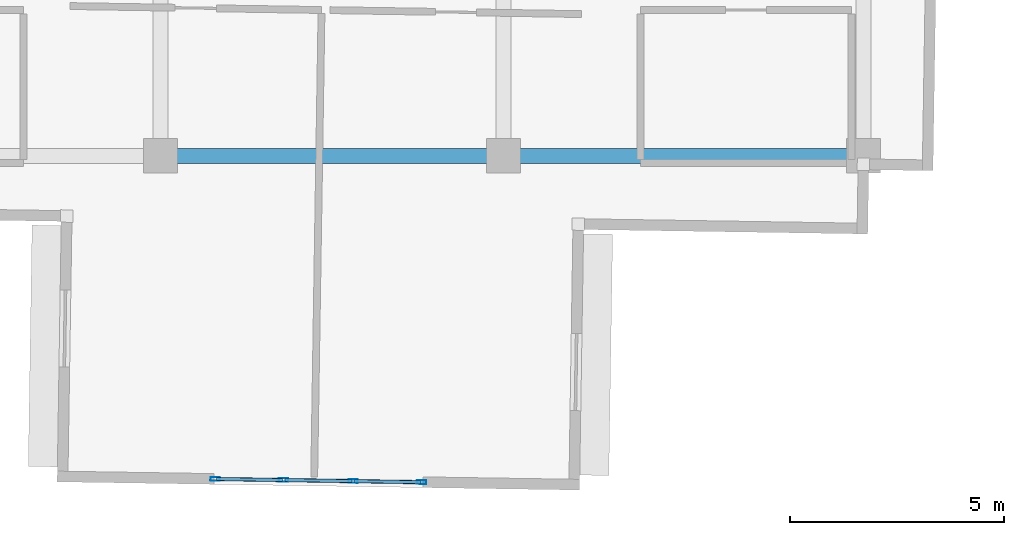
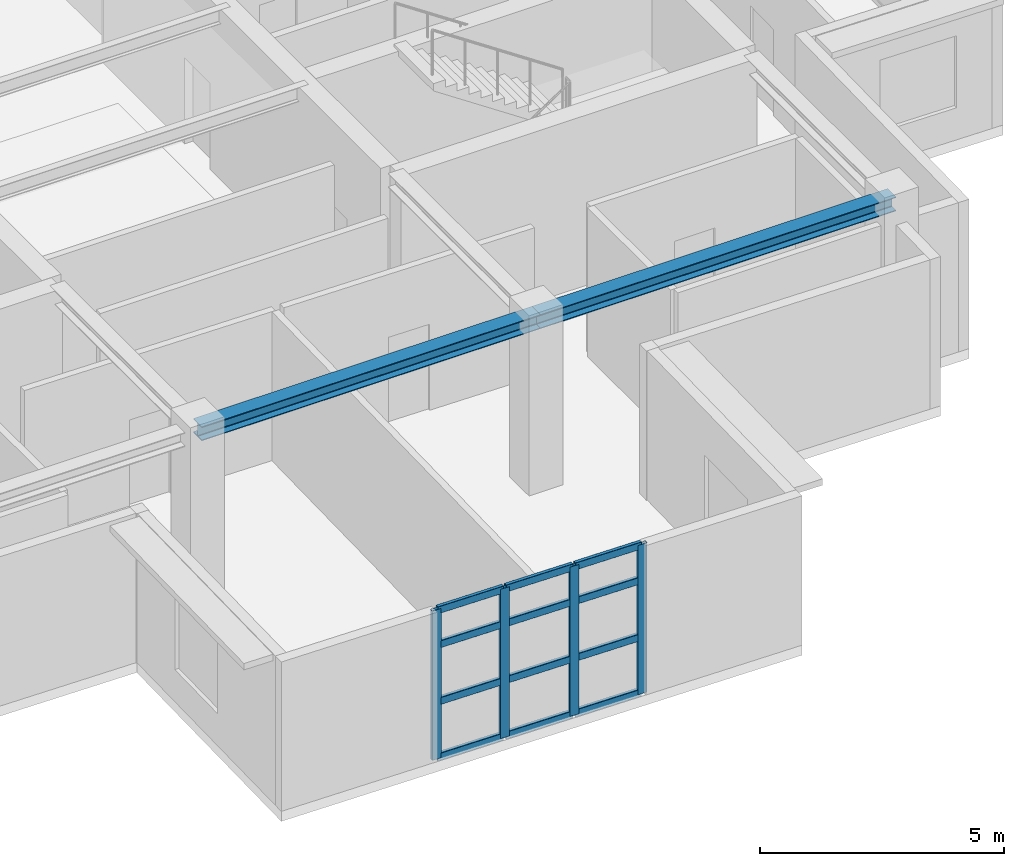
# One storey, part 2 of 15: 16 members, 2 beams, 1 element without a shape of its own.
"""IFC4 building model written with IfcOpenShell, lengths in metres."""

from ifc_helpers import new_model, si_unit, direction, frame, origin, origin_2d, place, context, subcontext, project, spatial, hollow_rectangle, i_section, extrude, material, layer, layer_set, material_profile, profile_set, type_object, element, aggregate, save


model = new_model("IFC4")

# Units and contexts
model_context = context("Model", 3, precision=1e-05, world=origin(), true_north=direction((0.0, 1.0)))
body_context = subcontext(model_context, "Body", "Model", "MODEL_VIEW")
ifc_project = project(units=[si_unit("LENGTHUNIT", "METRE"), si_unit("AREAUNIT", "SQUARE_METRE"), si_unit("VOLUMEUNIT", "CUBIC_METRE"), si_unit("PLANEANGLEUNIT", "RADIAN"), si_unit("MASSUNIT", "GRAM", prefix="KILO")], contexts=[model_context])

# Site, building, storey
site_placement = place(None, origin())
site = spatial("IfcSite", under=ifc_project, at=site_placement, CompositionType="ELEMENT")
building_placement = place(site_placement, origin())
building = spatial("IfcBuilding", under=site, at=building_placement, Name="Qingluan Cross Belvedere", CompositionType="ELEMENT")
storey_placement = place(building_placement, frame((0.0, 0.0, 312.89990234375)))
storey = spatial("IfcBuildingStorey", under=building, at=storey_placement, Name="L77", CompositionType="ELEMENT", Elevation=312.89990234375)

# Curtain wall, members
ifc_material_1 = material(Name="Thermally broken aluminium and Low-E glass", Category="aluminium")
ifc_layer = layer(ifc_material_1, 0.219970703125, Name="ObservationCW_BelvedereDeck")
ifc_layer_set = layer_set([ifc_layer], Name="Thermally broken aluminium and Low-E glass")
curtain_wall_type = type_object("IfcCurtainWallType", Name="ObservationCW_BelvedereDeck", PredefinedType="USERDEFINED", material=ifc_layer_set)
curtain_wall_placement = place(storey_placement, origin())
curtain_wall = element("IfcCurtainWall", 1, at=curtain_wall_placement, inside=storey, type_object=curtain_wall_type, Name="ObservationCW_BelvedereDeck run env:cw:L77:S", ObjectType="OBSERVATION GLAZING WALL", PredefinedType="USERDEFINED")
ifc_material_2 = material(Name="Aluminium alloy 6063-T6", Category="aluminium")
ifc_material_profile_1 = material_profile(ifc_material_2, hollow_rectangle(XDim=0.0849609375, YDim=0.219970703125, WallThickness=0.0048828125, InnerFilletRadius=0.0048828125, OuterFilletRadius=0.010009765625, at=origin_2d()), Name="CWM220x85x5")
ifc_profile_set_1 = profile_set([ifc_material_profile_1], Name="Aluminium alloy 6063-T6")
member_type_1 = type_object("IfcMemberType", Name="CWMullion_220", PredefinedType="MULLION", material=ifc_profile_set_1)
member_1_placement = place(storey_placement, frame((-2.724609375, -20.1396484375, 0.0), z_axis=(0.0, 0.0, 1.0), x_axis=(0.015709592504, 0.999876596737, 0.0)))
member_1 = element("IfcMember", 2, at=member_1_placement, type_object=member_type_1, Name="CW-C3 mullion 1", PredefinedType="MULLION", context=body_context, shape_type="SweptSolid", body=[
    extrude(hollow_rectangle(XDim=0.0849609375, YDim=0.219970703125, WallThickness=0.0048828125, InnerFilletRadius=0.0048828125, OuterFilletRadius=0.010009765625, at=origin_2d()), origin(), (0.0, 0.0, 1.0), 3.72998046875),
])
member_2_placement = place(storey_placement, frame((-1.12939453125, -20.164794921875, 0.0), z_axis=(0.0, 0.0, 1.0), x_axis=(0.015709592504, 0.999876596737, 0.0)))
member_2 = element("IfcMember", 3, at=member_2_placement, type_object=member_type_1, Name="CW-C3 mullion 2", PredefinedType="MULLION", context=body_context, shape_type="SweptSolid", body=[
    extrude(hollow_rectangle(XDim=0.0849609375, YDim=0.219970703125, WallThickness=0.0048828125, InnerFilletRadius=0.0048828125, OuterFilletRadius=0.010009765625, at=origin_2d()), origin(), (0.0, 0.0, 1.0), 3.72998046875),
])
member_3_placement = place(storey_placement, frame((0.49560546875, -20.190185546875, 0.0), z_axis=(0.0, 0.0, 1.0), x_axis=(0.015709592504, 0.999876596737, 0.0)))
member_3 = element("IfcMember", 4, at=member_3_placement, type_object=member_type_1, Name="CW-C3 mullion 3", PredefinedType="MULLION", context=body_context, shape_type="SweptSolid", body=[
    extrude(hollow_rectangle(XDim=0.0849609375, YDim=0.219970703125, WallThickness=0.0048828125, InnerFilletRadius=0.0048828125, OuterFilletRadius=0.010009765625, at=origin_2d()), origin(), (0.0, 0.0, 1.0), 3.72998046875),
])
member_4_placement = place(storey_placement, frame((2.0908203125, -20.21533203125, 0.0), z_axis=(0.0, 0.0, 1.0), x_axis=(0.015709592504, 0.999876596737, 0.0)))
member_4 = element("IfcMember", 5, at=member_4_placement, type_object=member_type_1, Name="CW-C3 mullion 4", PredefinedType="MULLION", context=body_context, shape_type="SweptSolid", body=[
    extrude(hollow_rectangle(XDim=0.0849609375, YDim=0.219970703125, WallThickness=0.0048828125, InnerFilletRadius=0.0048828125, OuterFilletRadius=0.010009765625, at=origin_2d()), origin(), (0.0, 0.0, 1.0), 3.72998046875),
])
ifc_material_3 = material(Name="Aluminium alloy 6063-T6", Category="aluminium")
ifc_material_profile_2 = material_profile(ifc_material_3, hollow_rectangle(XDim=0.0849609375, YDim=0.179931640625, WallThickness=0.00390625, InnerFilletRadius=0.00390625, OuterFilletRadius=0.008056640625, at=origin_2d()), Name="CWT180x85x4")
ifc_profile_set_2 = profile_set([ifc_material_profile_2], Name="Aluminium alloy 6063-T6")
member_type_2 = type_object("IfcMemberType", Name="CWTransom_180", PredefinedType="USERDEFINED", material=ifc_profile_set_2)
member_5_placement = place(storey_placement, frame((-2.694580078125, -20.14013671875, 0.030029296875), z_axis=(0.999876081943, -0.015742323809, 0.0), x_axis=(0.015742323809, 0.999876081943, 0.0)))
member_5 = element("IfcMember", 6, at=member_5_placement, type_object=member_type_2, Name="CW-C3 transom 1.1", ObjectType="TRANSOM", PredefinedType="USERDEFINED", context=body_context, shape_type="SweptSolid", body=[
    extrude(hollow_rectangle(XDim=0.0849609375, YDim=0.179931640625, WallThickness=0.00390625, InnerFilletRadius=0.00390625, OuterFilletRadius=0.008056640625, at=origin_2d()), origin(), (0.0, 0.0, 1.0), 1.535400390625),
])
member_6_placement = place(storey_placement, frame((-2.694580078125, -20.14013671875, 1.4169921875), z_axis=(0.999876081943, -0.015742323809, 0.0), x_axis=(0.015742323809, 0.999876081943, 0.0)))
member_6 = element("IfcMember", 7, at=member_6_placement, type_object=member_type_2, Name="CW-C3 transom 1.2", ObjectType="TRANSOM", PredefinedType="USERDEFINED", context=body_context, shape_type="SweptSolid", body=[
    extrude(hollow_rectangle(XDim=0.0849609375, YDim=0.179931640625, WallThickness=0.00390625, InnerFilletRadius=0.00390625, OuterFilletRadius=0.008056640625, at=origin_2d()), origin(), (0.0, 0.0, 1.0), 1.535400390625),
])
member_7_placement = place(storey_placement, frame((-2.694580078125, -20.14013671875, 2.835205078125), z_axis=(0.999876081943, -0.015742323809, 0.0), x_axis=(0.015742323809, 0.999876081943, 0.0)))
member_7 = element("IfcMember", 8, at=member_7_placement, type_object=member_type_2, Name="CW-C3 transom 1.3", ObjectType="TRANSOM", PredefinedType="USERDEFINED", context=body_context, shape_type="SweptSolid", body=[
    extrude(hollow_rectangle(XDim=0.0849609375, YDim=0.179931640625, WallThickness=0.00390625, InnerFilletRadius=0.00390625, OuterFilletRadius=0.008056640625, at=origin_2d()), origin(), (0.0, 0.0, 1.0), 1.535400390625),
])
member_8_placement = place(storey_placement, frame((-2.694580078125, -20.14013671875, 3.7001953125), z_axis=(0.999876081943, -0.015742323809, 0.0), x_axis=(0.015742323809, 0.999876081943, 0.0)))
member_8 = element("IfcMember", 9, at=member_8_placement, type_object=member_type_2, Name="CW-C3 transom 1.4", ObjectType="TRANSOM", PredefinedType="USERDEFINED", context=body_context, shape_type="SweptSolid", body=[
    extrude(hollow_rectangle(XDim=0.0849609375, YDim=0.179931640625, WallThickness=0.00390625, InnerFilletRadius=0.00390625, OuterFilletRadius=0.008056640625, at=origin_2d()), origin(), (0.0, 0.0, 1.0), 1.535400390625),
])
member_9_placement = place(storey_placement, frame((-1.099365234375, -20.165283203125, 0.030029296875), z_axis=(0.999878332473, -0.015598725936, 0.0), x_axis=(0.015598725936, 0.999878332473, 0.0)))
member_9 = element("IfcMember", 10, at=member_9_placement, type_object=member_type_2, Name="CW-C3 transom 2.1", ObjectType="TRANSOM", PredefinedType="USERDEFINED", context=body_context, shape_type="SweptSolid", body=[
    extrude(hollow_rectangle(XDim=0.0849609375, YDim=0.179931640625, WallThickness=0.00390625, InnerFilletRadius=0.00390625, OuterFilletRadius=0.008056640625, at=origin_2d()), origin(), (0.0, 0.0, 1.0), 1.565185546875),
])
member_10_placement = place(storey_placement, frame((-1.099365234375, -20.165283203125, 1.4169921875), z_axis=(0.999878332473, -0.015598725936, 0.0), x_axis=(0.015598725936, 0.999878332473, 0.0)))
member_10 = element("IfcMember", 11, at=member_10_placement, type_object=member_type_2, Name="CW-C3 transom 2.2", ObjectType="TRANSOM", PredefinedType="USERDEFINED", context=body_context, shape_type="SweptSolid", body=[
    extrude(hollow_rectangle(XDim=0.0849609375, YDim=0.179931640625, WallThickness=0.00390625, InnerFilletRadius=0.00390625, OuterFilletRadius=0.008056640625, at=origin_2d()), origin(), (0.0, 0.0, 1.0), 1.565185546875),
])
member_11_placement = place(storey_placement, frame((-1.099365234375, -20.165283203125, 2.835205078125), z_axis=(0.999878332473, -0.015598725936, 0.0), x_axis=(0.015598725936, 0.999878332473, 0.0)))
member_11 = element("IfcMember", 12, at=member_11_placement, type_object=member_type_2, Name="CW-C3 transom 2.3", ObjectType="TRANSOM", PredefinedType="USERDEFINED", context=body_context, shape_type="SweptSolid", body=[
    extrude(hollow_rectangle(XDim=0.0849609375, YDim=0.179931640625, WallThickness=0.00390625, InnerFilletRadius=0.00390625, OuterFilletRadius=0.008056640625, at=origin_2d()), origin(), (0.0, 0.0, 1.0), 1.565185546875),
])
member_12_placement = place(storey_placement, frame((-1.099365234375, -20.165283203125, 3.7001953125), z_axis=(0.999878332473, -0.015598725936, 0.0), x_axis=(0.015598725936, 0.999878332473, 0.0)))
member_12 = element("IfcMember", 13, at=member_12_placement, type_object=member_type_2, Name="CW-C3 transom 2.4", ObjectType="TRANSOM", PredefinedType="USERDEFINED", context=body_context, shape_type="SweptSolid", body=[
    extrude(hollow_rectangle(XDim=0.0849609375, YDim=0.179931640625, WallThickness=0.00390625, InnerFilletRadius=0.00390625, OuterFilletRadius=0.008056640625, at=origin_2d()), origin(), (0.0, 0.0, 1.0), 1.565185546875),
])
member_13_placement = place(storey_placement, frame((0.525634765625, -20.190673828125, 0.030029296875), z_axis=(0.999876081943, -0.015742323809, 0.0), x_axis=(0.015742323809, 0.999876081943, 0.0)))
member_13 = element("IfcMember", 14, at=member_13_placement, type_object=member_type_2, Name="CW-C3 transom 3.1", ObjectType="TRANSOM", PredefinedType="USERDEFINED", context=body_context, shape_type="SweptSolid", body=[
    extrude(hollow_rectangle(XDim=0.0849609375, YDim=0.179931640625, WallThickness=0.00390625, InnerFilletRadius=0.00390625, OuterFilletRadius=0.008056640625, at=origin_2d()), origin(), (0.0, 0.0, 1.0), 1.535400390625),
])
member_14_placement = place(storey_placement, frame((0.525634765625, -20.190673828125, 1.4169921875), z_axis=(0.999876081943, -0.015742323809, 0.0), x_axis=(0.015742323809, 0.999876081943, 0.0)))
member_14 = element("IfcMember", 15, at=member_14_placement, type_object=member_type_2, Name="CW-C3 transom 3.2", ObjectType="TRANSOM", PredefinedType="USERDEFINED", context=body_context, shape_type="SweptSolid", body=[
    extrude(hollow_rectangle(XDim=0.0849609375, YDim=0.179931640625, WallThickness=0.00390625, InnerFilletRadius=0.00390625, OuterFilletRadius=0.008056640625, at=origin_2d()), origin(), (0.0, 0.0, 1.0), 1.535400390625),
])
member_15_placement = place(storey_placement, frame((0.525634765625, -20.190673828125, 2.835205078125), z_axis=(0.999876081943, -0.015742323809, 0.0), x_axis=(0.015742323809, 0.999876081943, 0.0)))
member_15 = element("IfcMember", 16, at=member_15_placement, type_object=member_type_2, Name="CW-C3 transom 3.3", ObjectType="TRANSOM", PredefinedType="USERDEFINED", context=body_context, shape_type="SweptSolid", body=[
    extrude(hollow_rectangle(XDim=0.0849609375, YDim=0.179931640625, WallThickness=0.00390625, InnerFilletRadius=0.00390625, OuterFilletRadius=0.008056640625, at=origin_2d()), origin(), (0.0, 0.0, 1.0), 1.535400390625),
])
member_16_placement = place(storey_placement, frame((0.525634765625, -20.190673828125, 3.7001953125), z_axis=(0.999876081943, -0.015742323809, 0.0), x_axis=(0.015742323809, 0.999876081943, 0.0)))
member_16 = element("IfcMember", 17, at=member_16_placement, type_object=member_type_2, Name="CW-C3 transom 3.4", ObjectType="TRANSOM", PredefinedType="USERDEFINED", context=body_context, shape_type="SweptSolid", body=[
    extrude(hollow_rectangle(XDim=0.0849609375, YDim=0.179931640625, WallThickness=0.00390625, InnerFilletRadius=0.00390625, OuterFilletRadius=0.008056640625, at=origin_2d()), origin(), (0.0, 0.0, 1.0), 1.535400390625),
])
aggregate(curtain_wall, [member_1, member_2, member_3, member_4, member_5, member_6, member_7, member_8, member_9, member_10, member_11, member_12, member_13, member_14, member_15, member_16])

# Beams
ifc_material_4 = material(Name="Steel Q420GJB", Category="steel")
ifc_material_profile_3 = material_profile(ifc_material_4, i_section(OverallWidth=0.35009765625, OverallDepth=0.35009765625, WebThickness=0.011962890625, FlangeThickness=0.01904296875, FilletRadius=0.02001953125, at=origin_2d()), Name="HW350x350x12x19")
ifc_profile_set_3 = profile_set([ifc_material_profile_3], Name="Steel Q420GJB")
beam_type = type_object("IfcBeamType", Name="Steel_Girder_HW350x350x12x19", PredefinedType="USERDEFINED", material=ifc_profile_set_3)
beam_1_placement = place(storey_placement, frame((-4.0, -12.60009765625, 4.0751953125), z_axis=(1.0, 0.0, 0.0), x_axis=(0.0, 1.0, 0.0)))
element("IfcBeam", 18, at=beam_1_placement, inside=storey, type_object=beam_type, Name="Hub girder L77-HG-S2", ObjectType="GIRDER", PredefinedType="USERDEFINED", context=body_context, shape_type="SweptSolid", body=[
    extrude(i_section(OverallWidth=0.35009765625, OverallDepth=0.35009765625, WebThickness=0.011962890625, FlangeThickness=0.01904296875, FilletRadius=0.02001953125, at=origin_2d()), origin(), (0.0, 0.0, 1.0), 8.0),
])
beam_2_placement = place(storey_placement, frame((4.0, -12.60009765625, 4.0751953125), z_axis=(1.0, 0.0, 0.0), x_axis=(0.0, 1.0, 0.0)))
element("IfcBeam", 19, at=beam_2_placement, inside=storey, type_object=beam_type, Name="Hub girder L77-HG-S3", ObjectType="GIRDER", PredefinedType="USERDEFINED", context=body_context, shape_type="SweptSolid", body=[
    extrude(i_section(OverallWidth=0.35009765625, OverallDepth=0.35009765625, WebThickness=0.011962890625, FlangeThickness=0.01904296875, FilletRadius=0.02001953125, at=origin_2d()), origin(), (0.0, 0.0, 1.0), 8.39990234375),
])

save(model, "model.ifc")
